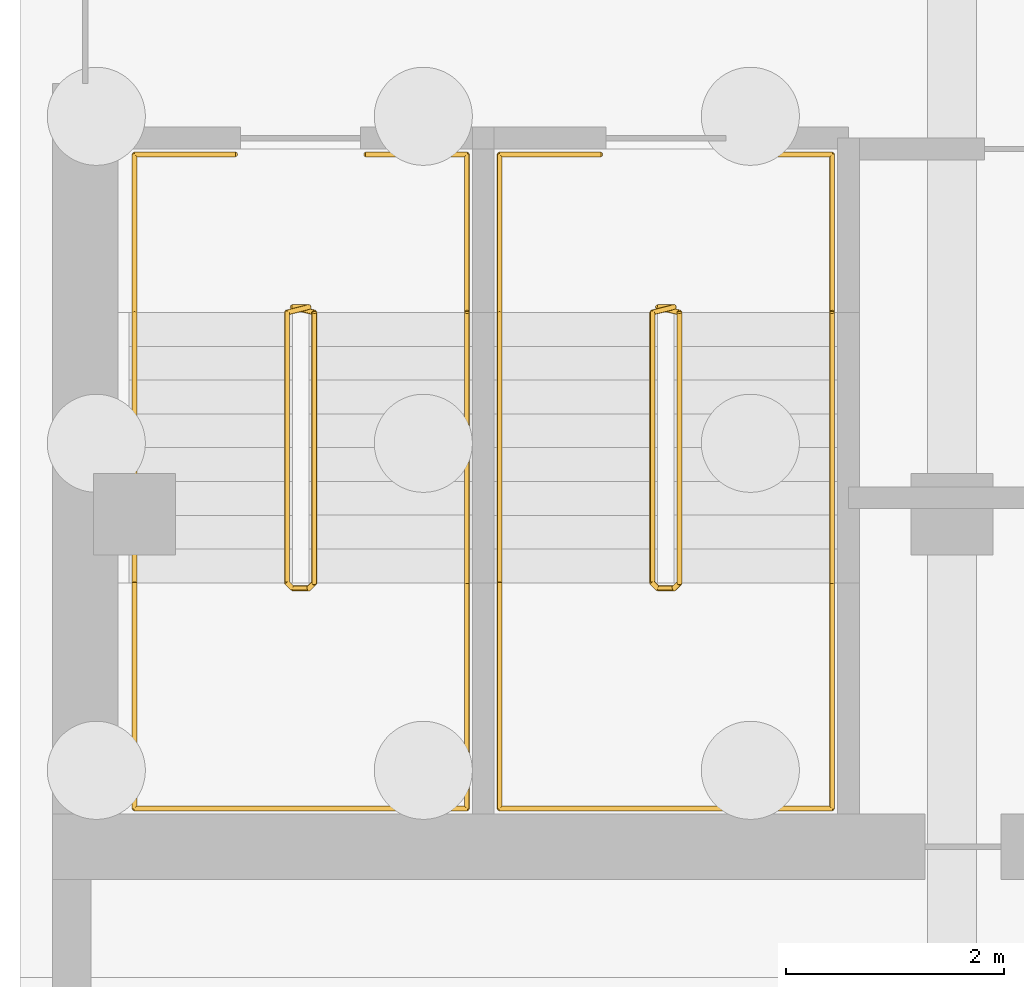
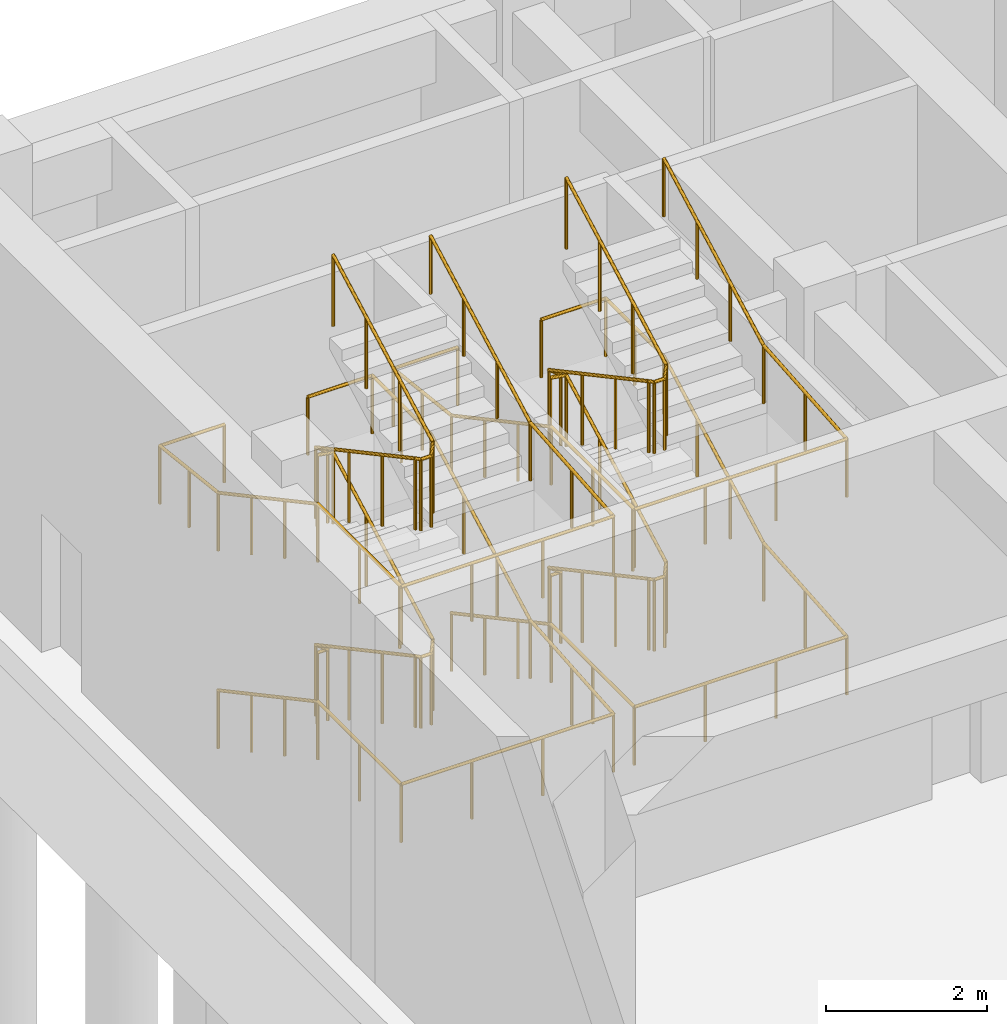
# One storey, part 22 of 26: 6 railings.
"""IFC4 building model written with IfcOpenShell, lengths in metres."""

from ifc_helpers import new_model, si_unit, direction, frame, origin, origin_2d, place, context, subcontext, project, spatial, circle, extrude, material, type_object, element, save


model = new_model("IFC4")

# Units and contexts
model_context = context("Model", 3, precision=1e-05, world=origin(), true_north=direction((0.0, 1.0)))
body_context = subcontext(model_context, "Body", "Model", "MODEL_VIEW")
ifc_project = project(units=[si_unit("LENGTHUNIT", "METRE"), si_unit("AREAUNIT", "SQUARE_METRE"), si_unit("VOLUMEUNIT", "CUBIC_METRE"), si_unit("PLANEANGLEUNIT", "RADIAN"), si_unit("MASSUNIT", "GRAM", prefix="KILO")], contexts=[model_context])

# Site, building, storey
site_placement = place(None, origin())
site = spatial("IfcSite", under=ifc_project, at=site_placement, CompositionType="ELEMENT")
building_placement = place(site_placement, origin())
building = spatial("IfcBuilding", under=site, at=building_placement, Name="Tessera Arch", CompositionType="ELEMENT")
storey_placement = place(building_placement, frame((0.0, 0.0, -6.0)))
storey = spatial("IfcBuildingStorey", under=building, at=storey_placement, Name="B1", CompositionType="ELEMENT", Elevation=-6.0)

# Railings
ifc_material_1 = material(Name="Painted steel balustrade", Category="steel")
railing_type_1 = type_object("IfcRailingType", Name="Stair guard 1100", PredefinedType="GUARDRAIL", material=ifc_material_1)
railing_1_placement = place(storey_placement, frame((-30.35009765625, 52.60009765625, 0.0)))
element("IfcRailing", 1, at=railing_1_placement, inside=storey, type_object=railing_type_1, Name="B1 M1a stair guard 1", PredefinedType="GUARDRAIL", context=body_context, shape_type="SweptSolid", body=[
    extrude(circle(Radius=0.02392578125, at=origin_2d()), frame((-0.00390625, 0.0, 1.076171875), z_axis=(1.0, 0.0, 0.0), x_axis=(0.0, 1.0, 0.0)), (0.0, 0.0, 1.0), 0.158203125),
    extrude(circle(Radius=0.02392578125, at=origin_2d()), frame((0.153076171875, 0.000732421875, 1.073486328125), z_axis=(-0.754182335027, -0.188775798145, 0.628945707965), x_axis=(0.242814311512, -0.970072785993, 0.0)), (0.0, 0.0, 1.0), 0.273193359375),
    extrude(circle(Radius=0.02392578125, at=origin_2d()), frame((-0.0498046875, -0.046630859375, 1.240966796875), z_axis=(0.0, -0.880785522881, 0.473515430248), x_axis=(1.0, 0.0, 0.0)), (0.0, 0.0, 1.0), 2.82373046875),
    extrude(circle(Radius=0.02392578125, at=origin_2d()), frame((-0.052734375, -2.527099609375, 2.576171875), z_axis=(0.705375805398, -0.708833529934, 0.0), x_axis=(0.708833529934, 0.705375805398, 0.0)), (0.0, 0.0, 1.0), 0.07861328125),
    extrude(circle(Radius=0.02392578125, at=origin_2d()), frame((-0.00390625, -2.580078125, 2.576171875), z_axis=(1.0, 0.0, 0.0), x_axis=(0.0, 1.0, 0.0)), (0.0, 0.0, 1.0), 0.158203125),
    extrude(circle(Radius=0.02392578125, at=origin_2d()), frame((0.14892578125, -2.581298828125, 2.572265625), z_axis=(0.27628659633, 0.27628659633, 0.920506074601), x_axis=(-0.707106781187, 0.707106781187, 0.0)), (0.0, 0.0, 1.0), 0.189208984375),
    extrude(circle(Radius=0.02392578125, at=origin_2d()), frame((0.2001953125, -2.533447265625, 2.740966796875), z_axis=(0.0, 0.880785522881, 0.473515430248), x_axis=(-1.0, 0.0, 0.0)), (0.0, 0.0, 1.0), 2.82373046875),
    extrude(circle(Radius=0.02392578125, at=origin_2d()), frame((0.2041015625, -0.051025390625, 4.076171875), z_axis=(-0.970142500145, 0.242535625036, 0.0), x_axis=(-0.242535625036, -0.970142500145, 0.0)), (0.0, 0.0, 1.0), 0.21435546875),
    extrude(circle(Radius=0.02392578125, at=origin_2d()), frame((-0.00390625, 0.0, 4.076171875), z_axis=(1.0, 0.0, 0.0), x_axis=(0.0, 1.0, 0.0)), (0.0, 0.0, 1.0), 0.158203125),
    extrude(circle(Radius=0.02392578125, at=origin_2d()), frame((0.153076171875, 0.000732421875, 4.073486328125), z_axis=(-0.754182335027, -0.188775798145, 0.628945707965), x_axis=(0.242814311512, -0.970072785993, 0.0)), (0.0, 0.0, 1.0), 0.273193359375),
    extrude(circle(Radius=0.02392578125, at=origin_2d()), frame((-0.0498046875, -0.046630859375, 4.240966796875), z_axis=(0.0, -0.880785522881, 0.473515430248), x_axis=(1.0, 0.0, 0.0)), (0.0, 0.0, 1.0), 2.82373046875),
    extrude(circle(Radius=0.02392578125, at=origin_2d()), frame((-0.052734375, -2.527099609375, 5.576171875), z_axis=(0.705375805398, -0.708833529934, 0.0), x_axis=(0.708833529934, 0.705375805398, 0.0)), (0.0, 0.0, 1.0), 0.07861328125),
    extrude(circle(Radius=0.02392578125, at=origin_2d()), frame((-0.00390625, -2.580078125, 5.576171875), z_axis=(1.0, 0.0, 0.0), x_axis=(0.0, 1.0, 0.0)), (0.0, 0.0, 1.0), 0.158203125),
    extrude(circle(Radius=0.02392578125, at=origin_2d()), frame((0.14892578125, -2.581298828125, 5.572265625), z_axis=(0.27628659633, 0.27628659633, 0.920506074601), x_axis=(-0.707106781187, 0.707106781187, 0.0)), (0.0, 0.0, 1.0), 0.189208984375),
    extrude(circle(Radius=0.02392578125, at=origin_2d()), frame((0.2001953125, -2.533447265625, 5.740966796875), z_axis=(0.0, 0.880785522881, 0.473515430248), x_axis=(-1.0, 0.0, 0.0)), (0.0, 0.0, 1.0), 2.82373046875),
    extrude(circle(Radius=0.02099609375, at=origin_2d()), origin(), (0.0, 0.0, 1.0), 1.06396484375),
    extrude(circle(Radius=0.02099609375, at=origin_2d()), frame((0.150146484375, 0.0, 0.0)), (0.0, 0.0, 1.0), 1.06396484375),
    extrude(circle(Radius=0.02099609375, at=origin_2d()), frame((-0.0498046875, -0.050048828125, 0.166748046875)), (0.0, 0.0, 1.0), 1.06396484375),
    extrude(circle(Radius=0.02099609375, at=origin_2d()), frame((-0.0498046875, -0.876708984375, 0.611083984375)), (0.0, 0.0, 1.0), 1.06396484375),
    extrude(circle(Radius=0.02099609375, at=origin_2d()), frame((-0.0498046875, -1.703369140625, 1.0556640625)), (0.0, 0.0, 1.0), 1.06396484375),
    extrude(circle(Radius=0.02099609375, at=origin_2d()), frame((-0.0498046875, -2.530029296875, 1.5)), (0.0, 0.0, 1.0), 1.06396484375),
    extrude(circle(Radius=0.02099609375, at=origin_2d()), frame((0.0, -2.580078125, 1.5)), (0.0, 0.0, 1.0), 1.06396484375),
    extrude(circle(Radius=0.02099609375, at=origin_2d()), frame((0.150146484375, -2.580078125, 1.5)), (0.0, 0.0, 1.0), 1.06396484375),
    extrude(circle(Radius=0.02099609375, at=origin_2d()), frame((0.2001953125, -2.530029296875, 1.666748046875)), (0.0, 0.0, 1.0), 1.06396484375),
    extrude(circle(Radius=0.02099609375, at=origin_2d()), frame((0.2001953125, -1.703369140625, 2.111083984375)), (0.0, 0.0, 1.0), 1.06396484375),
    extrude(circle(Radius=0.02099609375, at=origin_2d()), frame((0.2001953125, -0.876708984375, 2.5556640625)), (0.0, 0.0, 1.0), 1.06396484375),
    extrude(circle(Radius=0.02099609375, at=origin_2d()), frame((0.2001953125, -0.050048828125, 3.0)), (0.0, 0.0, 1.0), 1.06396484375),
    extrude(circle(Radius=0.02099609375, at=origin_2d()), frame((0.0, 0.0, 3.0)), (0.0, 0.0, 1.0), 1.06396484375),
    extrude(circle(Radius=0.02099609375, at=origin_2d()), frame((0.150146484375, 0.0, 3.0)), (0.0, 0.0, 1.0), 1.06396484375),
    extrude(circle(Radius=0.02099609375, at=origin_2d()), frame((-0.0498046875, -0.050048828125, 3.166748046875)), (0.0, 0.0, 1.0), 1.06396484375),
    extrude(circle(Radius=0.02099609375, at=origin_2d()), frame((-0.0498046875, -0.876708984375, 3.611083984375)), (0.0, 0.0, 1.0), 1.06396484375),
    extrude(circle(Radius=0.02099609375, at=origin_2d()), frame((-0.0498046875, -1.703369140625, 4.0556640625)), (0.0, 0.0, 1.0), 1.06396484375),
    extrude(circle(Radius=0.02099609375, at=origin_2d()), frame((-0.0498046875, -2.530029296875, 4.5)), (0.0, 0.0, 1.0), 1.06396484375),
    extrude(circle(Radius=0.02099609375, at=origin_2d()), frame((0.0, -2.580078125, 4.5)), (0.0, 0.0, 1.0), 1.06396484375),
    extrude(circle(Radius=0.02099609375, at=origin_2d()), frame((0.150146484375, -2.580078125, 4.5)), (0.0, 0.0, 1.0), 1.06396484375),
    extrude(circle(Radius=0.02099609375, at=origin_2d()), frame((0.2001953125, -2.530029296875, 4.666748046875)), (0.0, 0.0, 1.0), 1.06396484375),
    extrude(circle(Radius=0.02099609375, at=origin_2d()), frame((0.2001953125, -1.703369140625, 5.111083984375)), (0.0, 0.0, 1.0), 1.06396484375),
    extrude(circle(Radius=0.02099609375, at=origin_2d()), frame((0.2001953125, -0.876708984375, 5.5556640625)), (0.0, 0.0, 1.0), 1.06396484375),
    extrude(circle(Radius=0.02099609375, at=origin_2d()), frame((0.2001953125, -0.050048828125, 6.0)), (0.0, 0.0, 1.0), 1.06396484375),
])
railing_2_placement = place(storey_placement, frame((-27.0, 52.60009765625, 0.0)))
element("IfcRailing", 2, at=railing_2_placement, inside=storey, type_object=railing_type_1, Name="B1 M1b stair guard 1", PredefinedType="GUARDRAIL", context=body_context, shape_type="SweptSolid", body=[
    extrude(circle(Radius=0.02392578125, at=origin_2d()), frame((-0.00390625, 0.0, 1.076171875), z_axis=(1.0, 0.0, 0.0), x_axis=(0.0, 1.0, 0.0)), (0.0, 0.0, 1.0), 0.157958984375),
    extrude(circle(Radius=0.02392578125, at=origin_2d()), frame((0.15283203125, 0.000732421875, 1.073486328125), z_axis=(-0.754182335027, -0.188775798145, 0.628945707965), x_axis=(0.242814311512, -0.970072785993, 0.0)), (0.0, 0.0, 1.0), 0.273193359375),
    extrude(circle(Radius=0.02392578125, at=origin_2d()), frame((-0.050048828125, -0.046630859375, 1.240966796875), z_axis=(0.0, -0.880785522881, 0.473515430248), x_axis=(1.0, 0.0, 0.0)), (0.0, 0.0, 1.0), 2.82373046875),
    extrude(circle(Radius=0.02392578125, at=origin_2d()), frame((-0.052978515625, -2.527099609375, 2.576171875), z_axis=(0.707106781187, -0.707106781187, 0.0), x_axis=(0.707106781187, 0.707106781187, 0.0)), (0.0, 0.0, 1.0), 0.078857421875),
    extrude(circle(Radius=0.02392578125, at=origin_2d()), frame((-0.00390625, -2.580078125, 2.576171875), z_axis=(1.0, 0.0, 0.0), x_axis=(0.0, 1.0, 0.0)), (0.0, 0.0, 1.0), 0.157958984375),
    extrude(circle(Radius=0.02392578125, at=origin_2d()), frame((0.148681640625, -2.581298828125, 2.572265625), z_axis=(0.27628659633, 0.27628659633, 0.920506074601), x_axis=(-0.707106781187, 0.707106781187, 0.0)), (0.0, 0.0, 1.0), 0.189208984375),
    extrude(circle(Radius=0.02392578125, at=origin_2d()), frame((0.199951171875, -2.533447265625, 2.740966796875), z_axis=(0.0, 0.880785522881, 0.473515430248), x_axis=(-1.0, 0.0, 0.0)), (0.0, 0.0, 1.0), 2.82373046875),
    extrude(circle(Radius=0.02392578125, at=origin_2d()), frame((0.203857421875, -0.051025390625, 4.076171875), z_axis=(-0.970072785993, 0.242814311512, 0.0), x_axis=(-0.242814311512, -0.970072785993, 0.0)), (0.0, 0.0, 1.0), 0.214111328125),
    extrude(circle(Radius=0.02392578125, at=origin_2d()), frame((-0.00390625, 0.0, 4.076171875), z_axis=(1.0, 0.0, 0.0), x_axis=(0.0, 1.0, 0.0)), (0.0, 0.0, 1.0), 0.157958984375),
    extrude(circle(Radius=0.02392578125, at=origin_2d()), frame((0.15283203125, 0.000732421875, 4.073486328125), z_axis=(-0.754182335027, -0.188775798145, 0.628945707965), x_axis=(0.242814311512, -0.970072785993, 0.0)), (0.0, 0.0, 1.0), 0.273193359375),
    extrude(circle(Radius=0.02392578125, at=origin_2d()), frame((-0.050048828125, -0.046630859375, 4.240966796875), z_axis=(0.0, -0.880785522881, 0.473515430248), x_axis=(1.0, 0.0, 0.0)), (0.0, 0.0, 1.0), 2.82373046875),
    extrude(circle(Radius=0.02392578125, at=origin_2d()), frame((-0.052978515625, -2.527099609375, 5.576171875), z_axis=(0.707106781187, -0.707106781187, 0.0), x_axis=(0.707106781187, 0.707106781187, 0.0)), (0.0, 0.0, 1.0), 0.078857421875),
    extrude(circle(Radius=0.02392578125, at=origin_2d()), frame((-0.00390625, -2.580078125, 5.576171875), z_axis=(1.0, 0.0, 0.0), x_axis=(0.0, 1.0, 0.0)), (0.0, 0.0, 1.0), 0.157958984375),
    extrude(circle(Radius=0.02392578125, at=origin_2d()), frame((0.148681640625, -2.581298828125, 5.572265625), z_axis=(0.27628659633, 0.27628659633, 0.920506074601), x_axis=(-0.707106781187, 0.707106781187, 0.0)), (0.0, 0.0, 1.0), 0.189208984375),
    extrude(circle(Radius=0.02392578125, at=origin_2d()), frame((0.199951171875, -2.533447265625, 5.740966796875), z_axis=(0.0, 0.880785522881, 0.473515430248), x_axis=(-1.0, 0.0, 0.0)), (0.0, 0.0, 1.0), 2.82373046875),
    extrude(circle(Radius=0.02099609375, at=origin_2d()), origin(), (0.0, 0.0, 1.0), 1.06396484375),
    extrude(circle(Radius=0.02099609375, at=origin_2d()), frame((0.14990234375, 0.0, 0.0)), (0.0, 0.0, 1.0), 1.06396484375),
    extrude(circle(Radius=0.02099609375, at=origin_2d()), frame((-0.050048828125, -0.050048828125, 0.166748046875)), (0.0, 0.0, 1.0), 1.06396484375),
    extrude(circle(Radius=0.02099609375, at=origin_2d()), frame((-0.050048828125, -0.876708984375, 0.611083984375)), (0.0, 0.0, 1.0), 1.06396484375),
    extrude(circle(Radius=0.02099609375, at=origin_2d()), frame((-0.050048828125, -1.703369140625, 1.0556640625)), (0.0, 0.0, 1.0), 1.06396484375),
    extrude(circle(Radius=0.02099609375, at=origin_2d()), frame((-0.050048828125, -2.530029296875, 1.5)), (0.0, 0.0, 1.0), 1.06396484375),
    extrude(circle(Radius=0.02099609375, at=origin_2d()), frame((0.0, -2.580078125, 1.5)), (0.0, 0.0, 1.0), 1.06396484375),
    extrude(circle(Radius=0.02099609375, at=origin_2d()), frame((0.14990234375, -2.580078125, 1.5)), (0.0, 0.0, 1.0), 1.06396484375),
    extrude(circle(Radius=0.02099609375, at=origin_2d()), frame((0.199951171875, -2.530029296875, 1.666748046875)), (0.0, 0.0, 1.0), 1.06396484375),
    extrude(circle(Radius=0.02099609375, at=origin_2d()), frame((0.199951171875, -1.703369140625, 2.111083984375)), (0.0, 0.0, 1.0), 1.06396484375),
    extrude(circle(Radius=0.02099609375, at=origin_2d()), frame((0.199951171875, -0.876708984375, 2.5556640625)), (0.0, 0.0, 1.0), 1.06396484375),
    extrude(circle(Radius=0.02099609375, at=origin_2d()), frame((0.199951171875, -0.050048828125, 3.0)), (0.0, 0.0, 1.0), 1.06396484375),
    extrude(circle(Radius=0.02099609375, at=origin_2d()), frame((0.0, 0.0, 3.0)), (0.0, 0.0, 1.0), 1.06396484375),
    extrude(circle(Radius=0.02099609375, at=origin_2d()), frame((0.14990234375, 0.0, 3.0)), (0.0, 0.0, 1.0), 1.06396484375),
    extrude(circle(Radius=0.02099609375, at=origin_2d()), frame((-0.050048828125, -0.050048828125, 3.166748046875)), (0.0, 0.0, 1.0), 1.06396484375),
    extrude(circle(Radius=0.02099609375, at=origin_2d()), frame((-0.050048828125, -0.876708984375, 3.611083984375)), (0.0, 0.0, 1.0), 1.06396484375),
    extrude(circle(Radius=0.02099609375, at=origin_2d()), frame((-0.050048828125, -1.703369140625, 4.0556640625)), (0.0, 0.0, 1.0), 1.06396484375),
    extrude(circle(Radius=0.02099609375, at=origin_2d()), frame((-0.050048828125, -2.530029296875, 4.5)), (0.0, 0.0, 1.0), 1.06396484375),
    extrude(circle(Radius=0.02099609375, at=origin_2d()), frame((0.0, -2.580078125, 4.5)), (0.0, 0.0, 1.0), 1.06396484375),
    extrude(circle(Radius=0.02099609375, at=origin_2d()), frame((0.14990234375, -2.580078125, 4.5)), (0.0, 0.0, 1.0), 1.06396484375),
    extrude(circle(Radius=0.02099609375, at=origin_2d()), frame((0.199951171875, -2.530029296875, 4.666748046875)), (0.0, 0.0, 1.0), 1.06396484375),
    extrude(circle(Radius=0.02099609375, at=origin_2d()), frame((0.199951171875, -1.703369140625, 5.111083984375)), (0.0, 0.0, 1.0), 1.06396484375),
    extrude(circle(Radius=0.02099609375, at=origin_2d()), frame((0.199951171875, -0.876708984375, 5.5556640625)), (0.0, 0.0, 1.0), 1.06396484375),
    extrude(circle(Radius=0.02099609375, at=origin_2d()), frame((0.199951171875, -0.050048828125, 6.0)), (0.0, 0.0, 1.0), 1.06396484375),
])
ifc_material_2 = material(Name="Painted steel handrail", Category="steel")
railing_type_2 = type_object("IfcRailingType", Name="Stair handrail 900", PredefinedType="HANDRAIL", material=ifc_material_2)
railing_3_placement = place(storey_placement, frame((-31.800048828125, 52.550048828125, 0.166748046875)))
element("IfcRailing", 3, at=railing_3_placement, inside=storey, type_object=railing_type_2, Name="B1 M1a stair handrail", PredefinedType="HANDRAIL", context=body_context, shape_type="SweptSolid", body=[
    extrude(circle(Radius=0.02392578125, at=origin_2d()), frame((0.0, 0.00341796875, 0.8740234375), z_axis=(0.0, -0.880785522881, 0.473515430248), x_axis=(1.0, 0.0, 0.0)), (0.0, 0.0, 1.0), 2.82373046875),
    extrude(circle(Radius=0.02392578125, at=origin_2d()), frame((0.0, -2.47607421875, 2.208984375), z_axis=(0.0, -1.0, 0.0), x_axis=(1.0, 0.0, 0.0)), (0.0, 0.0, 1.0), 2.078125),
    extrude(circle(Radius=0.02392578125, at=origin_2d()), frame((-0.00390625, -4.550048828125, 2.208984375), z_axis=(1.0, 0.0, 0.0), x_axis=(0.0, 1.0, 0.0)), (0.0, 0.0, 1.0), 3.05810546875),
    extrude(circle(Radius=0.02392578125, at=origin_2d()), frame((3.050048828125, -4.553955078125, 2.208740234375), z_axis=(0.0, 0.996771394942, 0.080291881442), x_axis=(-1.0, 0.0, 0.0)), (0.0, 0.0, 1.0), 2.084716796875),
    extrude(circle(Radius=0.02392578125, at=origin_2d()), frame((3.050048828125, -2.4833984375, 2.3740234375), z_axis=(0.0, 0.880785522881, 0.473515430248), x_axis=(-1.0, 0.0, 0.0)), (0.0, 0.0, 1.0), 2.82373046875),
    extrude(circle(Radius=0.02392578125, at=origin_2d()), frame((3.050048828125, -0.00390625, 3.708984375), z_axis=(0.0, 1.0, 0.0), x_axis=(-1.0, 0.0, 0.0)), (0.0, 0.0, 1.0), 1.4580078125),
    extrude(circle(Radius=0.02392578125, at=origin_2d()), frame((3.053955078125, 1.449951171875, 3.708984375), z_axis=(-1.0, 0.0, 0.0), x_axis=(0.0, -1.0, 0.0)), (0.0, 0.0, 1.0), 0.93310546875),
    extrude(circle(Radius=0.02099609375, at=origin_2d()), origin(), (0.0, 0.0, 1.0), 0.86376953125),
    extrude(circle(Radius=0.02099609375, at=origin_2d()), frame((0.0, -0.82666015625, 0.4443359375)), (0.0, 0.0, 1.0), 0.86376953125),
    extrude(circle(Radius=0.02099609375, at=origin_2d()), frame((0.0, -1.6533203125, 0.888916015625)), (0.0, 0.0, 1.0), 0.86376953125),
    extrude(circle(Radius=0.02099609375, at=origin_2d()), frame((0.0, -2.47998046875, 1.333251953125)), (0.0, 0.0, 1.0), 0.86376953125),
    extrude(circle(Radius=0.02099609375, at=origin_2d()), frame((0.0, -3.51513671875, 1.333251953125)), (0.0, 0.0, 1.0), 0.86376953125),
    extrude(circle(Radius=0.02099609375, at=origin_2d()), frame((0.0, -4.550048828125, 1.333251953125)), (0.0, 0.0, 1.0), 0.86376953125),
    extrude(circle(Radius=0.02099609375, at=origin_2d()), frame((1.0166015625, -4.550048828125, 1.333251953125)), (0.0, 0.0, 1.0), 0.86376953125),
    extrude(circle(Radius=0.02099609375, at=origin_2d()), frame((2.033447265625, -4.550048828125, 1.333251953125)), (0.0, 0.0, 1.0), 0.86376953125),
    extrude(circle(Radius=0.02099609375, at=origin_2d()), frame((3.050048828125, -4.550048828125, 1.333251953125)), (0.0, 0.0, 1.0), 0.86376953125),
    extrude(circle(Radius=0.02099609375, at=origin_2d()), frame((3.050048828125, -3.51513671875, 1.41650390625)), (0.0, 0.0, 1.0), 0.86376953125),
    extrude(circle(Radius=0.02099609375, at=origin_2d()), frame((3.050048828125, -2.47998046875, 1.5)), (0.0, 0.0, 1.0), 0.86376953125),
    extrude(circle(Radius=0.02099609375, at=origin_2d()), frame((3.050048828125, -1.6533203125, 1.9443359375)), (0.0, 0.0, 1.0), 0.86376953125),
    extrude(circle(Radius=0.02099609375, at=origin_2d()), frame((3.050048828125, -0.82666015625, 2.388916015625)), (0.0, 0.0, 1.0), 0.86376953125),
    extrude(circle(Radius=0.02099609375, at=origin_2d()), frame((3.050048828125, 0.0, 2.833251953125)), (0.0, 0.0, 1.0), 0.86376953125),
    extrude(circle(Radius=0.02099609375, at=origin_2d()), frame((3.050048828125, 0.72509765625, 2.833251953125)), (0.0, 0.0, 1.0), 0.86376953125),
    extrude(circle(Radius=0.02099609375, at=origin_2d()), frame((3.050048828125, 1.449951171875, 2.833251953125)), (0.0, 0.0, 1.0), 0.86376953125),
    extrude(circle(Radius=0.02099609375, at=origin_2d()), frame((2.125, 1.449951171875, 2.833251953125)), (0.0, 0.0, 1.0), 0.86376953125),
])
railing_4_placement = place(storey_placement, frame((-30.875, 54.0, 3.0)))
element("IfcRailing", 4, at=railing_4_placement, inside=storey, type_object=railing_type_2, Name="B1 M1a stair handrail 2", PredefinedType="HANDRAIL", context=body_context, shape_type="SweptSolid", body=[
    extrude(circle(Radius=0.02392578125, at=origin_2d()), frame((0.00390625, 0.0, 0.8759765625), z_axis=(-1.0, 0.0, 0.0), x_axis=(0.0, -1.0, 0.0)), (0.0, 0.0, 1.0), 0.93310546875),
    extrude(circle(Radius=0.02392578125, at=origin_2d()), frame((-0.925048828125, 0.00390625, 0.87548828125), z_axis=(0.0, -0.993452088381, 0.114249499304), x_axis=(1.0, 0.0, 0.0)), (0.0, 0.0, 1.0), 1.467529296875),
    extrude(circle(Radius=0.02392578125, at=origin_2d()), frame((-0.925048828125, -1.446533203125, 1.040771484375), z_axis=(0.0, -0.880785522881, 0.473515430248), x_axis=(1.0, 0.0, 0.0)), (0.0, 0.0, 1.0), 2.82373046875),
    extrude(circle(Radius=0.02392578125, at=origin_2d()), frame((-0.925048828125, -3.926025390625, 2.3759765625), z_axis=(0.0, -1.0, 0.0), x_axis=(1.0, 0.0, 0.0)), (0.0, 0.0, 1.0), 2.078125),
    extrude(circle(Radius=0.02392578125, at=origin_2d()), frame((-0.928955078125, -6.0, 2.3759765625), z_axis=(1.0, 0.0, 0.0), x_axis=(0.0, 1.0, 0.0)), (0.0, 0.0, 1.0), 3.05810546875),
    extrude(circle(Radius=0.02392578125, at=origin_2d()), frame((2.125, -6.00390625, 2.37548828125), z_axis=(0.0, 0.996771394942, 0.080291881442), x_axis=(-1.0, 0.0, 0.0)), (0.0, 0.0, 1.0), 2.084716796875),
    extrude(circle(Radius=0.02392578125, at=origin_2d()), frame((2.125, -3.933349609375, 2.540771484375), z_axis=(0.0, 0.880785522881, 0.473515430248), x_axis=(-1.0, 0.0, 0.0)), (0.0, 0.0, 1.0), 2.82373046875),
    extrude(circle(Radius=0.02099609375, at=origin_2d()), origin(), (0.0, 0.0, 1.0), 0.86376953125),
    extrude(circle(Radius=0.02099609375, at=origin_2d()), frame((-0.925048828125, 0.0, 0.0)), (0.0, 0.0, 1.0), 0.86376953125),
    extrude(circle(Radius=0.02099609375, at=origin_2d()), frame((-0.925048828125, -0.72509765625, 0.08349609375)), (0.0, 0.0, 1.0), 0.86376953125),
    extrude(circle(Radius=0.02099609375, at=origin_2d()), frame((-0.925048828125, -1.449951171875, 0.166748046875)), (0.0, 0.0, 1.0), 0.86376953125),
    extrude(circle(Radius=0.02099609375, at=origin_2d()), frame((-0.925048828125, -2.276611328125, 0.611083984375)), (0.0, 0.0, 1.0), 0.86376953125),
    extrude(circle(Radius=0.02099609375, at=origin_2d()), frame((-0.925048828125, -3.103271484375, 1.0556640625)), (0.0, 0.0, 1.0), 0.86376953125),
    extrude(circle(Radius=0.02099609375, at=origin_2d()), frame((-0.925048828125, -3.929931640625, 1.5)), (0.0, 0.0, 1.0), 0.86376953125),
    extrude(circle(Radius=0.02099609375, at=origin_2d()), frame((-0.925048828125, -4.96484375, 1.5)), (0.0, 0.0, 1.0), 0.86376953125),
    extrude(circle(Radius=0.02099609375, at=origin_2d()), frame((-0.925048828125, -6.0, 1.5)), (0.0, 0.0, 1.0), 0.86376953125),
    extrude(circle(Radius=0.02099609375, at=origin_2d()), frame((0.091552734375, -6.0, 1.5)), (0.0, 0.0, 1.0), 0.86376953125),
    extrude(circle(Radius=0.02099609375, at=origin_2d()), frame((1.1083984375, -6.0, 1.5)), (0.0, 0.0, 1.0), 0.86376953125),
    extrude(circle(Radius=0.02099609375, at=origin_2d()), frame((2.125, -6.0, 1.5)), (0.0, 0.0, 1.0), 0.86376953125),
    extrude(circle(Radius=0.02099609375, at=origin_2d()), frame((2.125, -4.96484375, 1.58349609375)), (0.0, 0.0, 1.0), 0.86376953125),
    extrude(circle(Radius=0.02099609375, at=origin_2d()), frame((2.125, -3.929931640625, 1.666748046875)), (0.0, 0.0, 1.0), 0.86376953125),
    extrude(circle(Radius=0.02099609375, at=origin_2d()), frame((2.125, -3.103271484375, 2.111083984375)), (0.0, 0.0, 1.0), 0.86376953125),
    extrude(circle(Radius=0.02099609375, at=origin_2d()), frame((2.125, -2.276611328125, 2.5556640625)), (0.0, 0.0, 1.0), 0.86376953125),
    extrude(circle(Radius=0.02099609375, at=origin_2d()), frame((2.125, -1.449951171875, 3.0)), (0.0, 0.0, 1.0), 0.86376953125),
])
railing_5_placement = place(storey_placement, frame((-28.449951171875, 52.550048828125, 0.166748046875)))
element("IfcRailing", 5, at=railing_5_placement, inside=storey, type_object=railing_type_2, Name="B1 M1b stair handrail", PredefinedType="HANDRAIL", context=body_context, shape_type="SweptSolid", body=[
    extrude(circle(Radius=0.02392578125, at=origin_2d()), frame((0.0, 0.00341796875, 0.8740234375), z_axis=(0.0, -0.880785522881, 0.473515430248), x_axis=(1.0, 0.0, 0.0)), (0.0, 0.0, 1.0), 2.82373046875),
    extrude(circle(Radius=0.02392578125, at=origin_2d()), frame((0.0, -2.47607421875, 2.208984375), z_axis=(0.0, -1.0, 0.0), x_axis=(1.0, 0.0, 0.0)), (0.0, 0.0, 1.0), 2.078125),
    extrude(circle(Radius=0.02392578125, at=origin_2d()), frame((-0.00390625, -4.550048828125, 2.208984375), z_axis=(1.0, 0.0, 0.0), x_axis=(0.0, 1.0, 0.0)), (0.0, 0.0, 1.0), 3.05810546875),
    extrude(circle(Radius=0.02392578125, at=origin_2d()), frame((3.050048828125, -4.553955078125, 2.208740234375), z_axis=(0.0, 0.996771394942, 0.080291881442), x_axis=(-1.0, 0.0, 0.0)), (0.0, 0.0, 1.0), 2.084716796875),
    extrude(circle(Radius=0.02392578125, at=origin_2d()), frame((3.050048828125, -2.4833984375, 2.3740234375), z_axis=(0.0, 0.880785522881, 0.473515430248), x_axis=(-1.0, 0.0, 0.0)), (0.0, 0.0, 1.0), 2.82373046875),
    extrude(circle(Radius=0.02392578125, at=origin_2d()), frame((3.050048828125, -0.00390625, 3.708984375), z_axis=(0.0, 1.0, 0.0), x_axis=(-1.0, 0.0, 0.0)), (0.0, 0.0, 1.0), 1.4580078125),
    extrude(circle(Radius=0.02392578125, at=origin_2d()), frame((3.053955078125, 1.449951171875, 3.708984375), z_axis=(-1.0, 0.0, 0.0), x_axis=(0.0, -1.0, 0.0)), (0.0, 0.0, 1.0), 0.93310546875),
    extrude(circle(Radius=0.02099609375, at=origin_2d()), origin(), (0.0, 0.0, 1.0), 0.86376953125),
    extrude(circle(Radius=0.02099609375, at=origin_2d()), frame((0.0, -0.82666015625, 0.4443359375)), (0.0, 0.0, 1.0), 0.86376953125),
    extrude(circle(Radius=0.02099609375, at=origin_2d()), frame((0.0, -1.6533203125, 0.888916015625)), (0.0, 0.0, 1.0), 0.86376953125),
    extrude(circle(Radius=0.02099609375, at=origin_2d()), frame((0.0, -2.47998046875, 1.333251953125)), (0.0, 0.0, 1.0), 0.86376953125),
    extrude(circle(Radius=0.02099609375, at=origin_2d()), frame((0.0, -3.51513671875, 1.333251953125)), (0.0, 0.0, 1.0), 0.86376953125),
    extrude(circle(Radius=0.02099609375, at=origin_2d()), frame((0.0, -4.550048828125, 1.333251953125)), (0.0, 0.0, 1.0), 0.86376953125),
    extrude(circle(Radius=0.02099609375, at=origin_2d()), frame((1.0166015625, -4.550048828125, 1.333251953125)), (0.0, 0.0, 1.0), 0.86376953125),
    extrude(circle(Radius=0.02099609375, at=origin_2d()), frame((2.033447265625, -4.550048828125, 1.333251953125)), (0.0, 0.0, 1.0), 0.86376953125),
    extrude(circle(Radius=0.02099609375, at=origin_2d()), frame((3.050048828125, -4.550048828125, 1.333251953125)), (0.0, 0.0, 1.0), 0.86376953125),
    extrude(circle(Radius=0.02099609375, at=origin_2d()), frame((3.050048828125, -3.51513671875, 1.41650390625)), (0.0, 0.0, 1.0), 0.86376953125),
    extrude(circle(Radius=0.02099609375, at=origin_2d()), frame((3.050048828125, -2.47998046875, 1.5)), (0.0, 0.0, 1.0), 0.86376953125),
    extrude(circle(Radius=0.02099609375, at=origin_2d()), frame((3.050048828125, -1.6533203125, 1.9443359375)), (0.0, 0.0, 1.0), 0.86376953125),
    extrude(circle(Radius=0.02099609375, at=origin_2d()), frame((3.050048828125, -0.82666015625, 2.388916015625)), (0.0, 0.0, 1.0), 0.86376953125),
    extrude(circle(Radius=0.02099609375, at=origin_2d()), frame((3.050048828125, 0.0, 2.833251953125)), (0.0, 0.0, 1.0), 0.86376953125),
    extrude(circle(Radius=0.02099609375, at=origin_2d()), frame((3.050048828125, 0.72509765625, 2.833251953125)), (0.0, 0.0, 1.0), 0.86376953125),
    extrude(circle(Radius=0.02099609375, at=origin_2d()), frame((3.050048828125, 1.449951171875, 2.833251953125)), (0.0, 0.0, 1.0), 0.86376953125),
    extrude(circle(Radius=0.02099609375, at=origin_2d()), frame((2.125, 1.449951171875, 2.833251953125)), (0.0, 0.0, 1.0), 0.86376953125),
])
railing_6_placement = place(storey_placement, frame((-27.52490234375, 54.0, 3.0)))
element("IfcRailing", 6, at=railing_6_placement, inside=storey, type_object=railing_type_2, Name="B1 M1b stair handrail 2", PredefinedType="HANDRAIL", context=body_context, shape_type="SweptSolid", body=[
    extrude(circle(Radius=0.02392578125, at=origin_2d()), frame((0.00390625, 0.0, 0.8759765625), z_axis=(-1.0, 0.0, 0.0), x_axis=(0.0, -1.0, 0.0)), (0.0, 0.0, 1.0), 0.93310546875),
    extrude(circle(Radius=0.02392578125, at=origin_2d()), frame((-0.925048828125, 0.00390625, 0.87548828125), z_axis=(0.0, -0.993452088381, 0.114249499304), x_axis=(1.0, 0.0, 0.0)), (0.0, 0.0, 1.0), 1.467529296875),
    extrude(circle(Radius=0.02392578125, at=origin_2d()), frame((-0.925048828125, -1.446533203125, 1.040771484375), z_axis=(0.0, -0.880785522881, 0.473515430248), x_axis=(1.0, 0.0, 0.0)), (0.0, 0.0, 1.0), 2.82373046875),
    extrude(circle(Radius=0.02392578125, at=origin_2d()), frame((-0.925048828125, -3.926025390625, 2.3759765625), z_axis=(0.0, -1.0, 0.0), x_axis=(1.0, 0.0, 0.0)), (0.0, 0.0, 1.0), 2.078125),
    extrude(circle(Radius=0.02392578125, at=origin_2d()), frame((-0.928955078125, -6.0, 2.3759765625), z_axis=(1.0, 0.0, 0.0), x_axis=(0.0, 1.0, 0.0)), (0.0, 0.0, 1.0), 3.05810546875),
    extrude(circle(Radius=0.02392578125, at=origin_2d()), frame((2.125, -6.00390625, 2.37548828125), z_axis=(0.0, 0.996771394942, 0.080291881442), x_axis=(-1.0, 0.0, 0.0)), (0.0, 0.0, 1.0), 2.084716796875),
    extrude(circle(Radius=0.02392578125, at=origin_2d()), frame((2.125, -3.933349609375, 2.540771484375), z_axis=(0.0, 0.880785522881, 0.473515430248), x_axis=(-1.0, 0.0, 0.0)), (0.0, 0.0, 1.0), 2.82373046875),
    extrude(circle(Radius=0.02099609375, at=origin_2d()), origin(), (0.0, 0.0, 1.0), 0.86376953125),
    extrude(circle(Radius=0.02099609375, at=origin_2d()), frame((-0.925048828125, 0.0, 0.0)), (0.0, 0.0, 1.0), 0.86376953125),
    extrude(circle(Radius=0.02099609375, at=origin_2d()), frame((-0.925048828125, -0.72509765625, 0.08349609375)), (0.0, 0.0, 1.0), 0.86376953125),
    extrude(circle(Radius=0.02099609375, at=origin_2d()), frame((-0.925048828125, -1.449951171875, 0.166748046875)), (0.0, 0.0, 1.0), 0.86376953125),
    extrude(circle(Radius=0.02099609375, at=origin_2d()), frame((-0.925048828125, -2.276611328125, 0.611083984375)), (0.0, 0.0, 1.0), 0.86376953125),
    extrude(circle(Radius=0.02099609375, at=origin_2d()), frame((-0.925048828125, -3.103271484375, 1.0556640625)), (0.0, 0.0, 1.0), 0.86376953125),
    extrude(circle(Radius=0.02099609375, at=origin_2d()), frame((-0.925048828125, -3.929931640625, 1.5)), (0.0, 0.0, 1.0), 0.86376953125),
    extrude(circle(Radius=0.02099609375, at=origin_2d()), frame((-0.925048828125, -4.96484375, 1.5)), (0.0, 0.0, 1.0), 0.86376953125),
    extrude(circle(Radius=0.02099609375, at=origin_2d()), frame((-0.925048828125, -6.0, 1.5)), (0.0, 0.0, 1.0), 0.86376953125),
    extrude(circle(Radius=0.02099609375, at=origin_2d()), frame((0.091552734375, -6.0, 1.5)), (0.0, 0.0, 1.0), 0.86376953125),
    extrude(circle(Radius=0.02099609375, at=origin_2d()), frame((1.1083984375, -6.0, 1.5)), (0.0, 0.0, 1.0), 0.86376953125),
    extrude(circle(Radius=0.02099609375, at=origin_2d()), frame((2.125, -6.0, 1.5)), (0.0, 0.0, 1.0), 0.86376953125),
    extrude(circle(Radius=0.02099609375, at=origin_2d()), frame((2.125, -4.96484375, 1.58349609375)), (0.0, 0.0, 1.0), 0.86376953125),
    extrude(circle(Radius=0.02099609375, at=origin_2d()), frame((2.125, -3.929931640625, 1.666748046875)), (0.0, 0.0, 1.0), 0.86376953125),
    extrude(circle(Radius=0.02099609375, at=origin_2d()), frame((2.125, -3.103271484375, 2.111083984375)), (0.0, 0.0, 1.0), 0.86376953125),
    extrude(circle(Radius=0.02099609375, at=origin_2d()), frame((2.125, -2.276611328125, 2.5556640625)), (0.0, 0.0, 1.0), 0.86376953125),
    extrude(circle(Radius=0.02099609375, at=origin_2d()), frame((2.125, -1.449951171875, 3.0)), (0.0, 0.0, 1.0), 0.86376953125),
])

save(model, "model.ifc")
